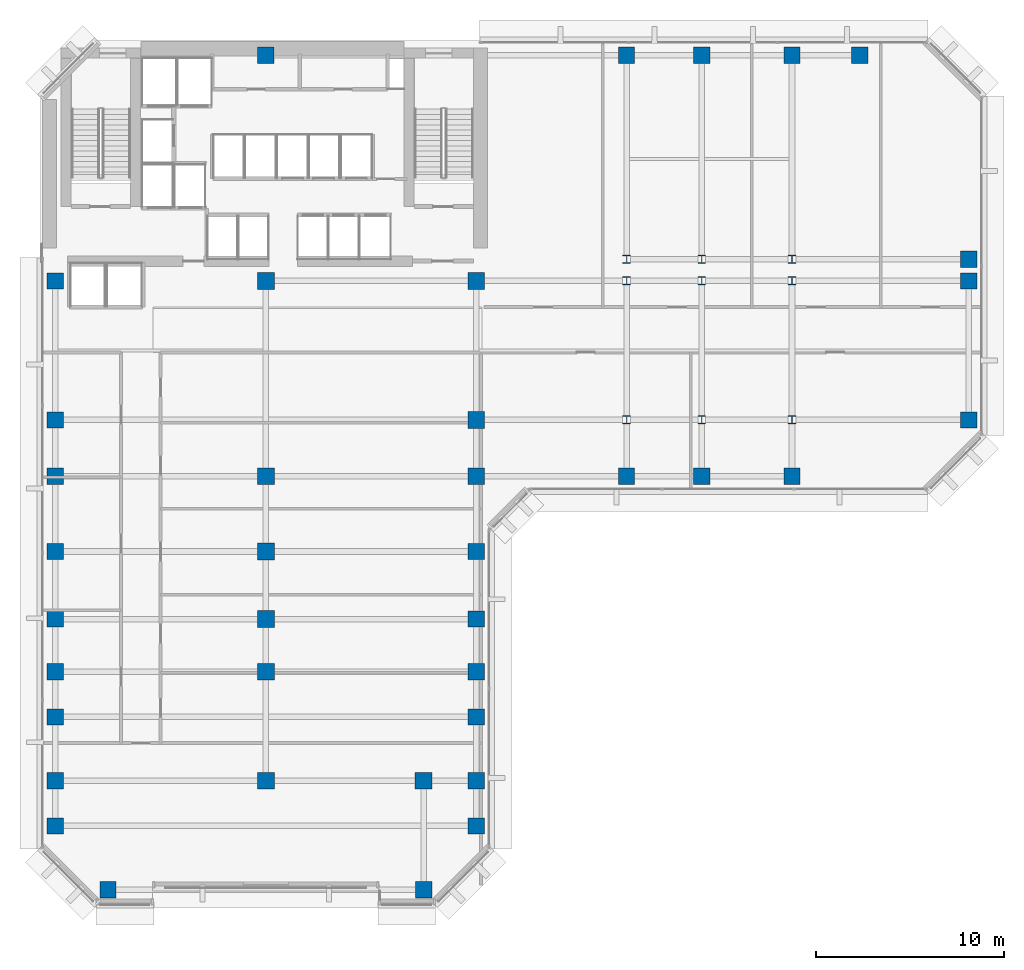
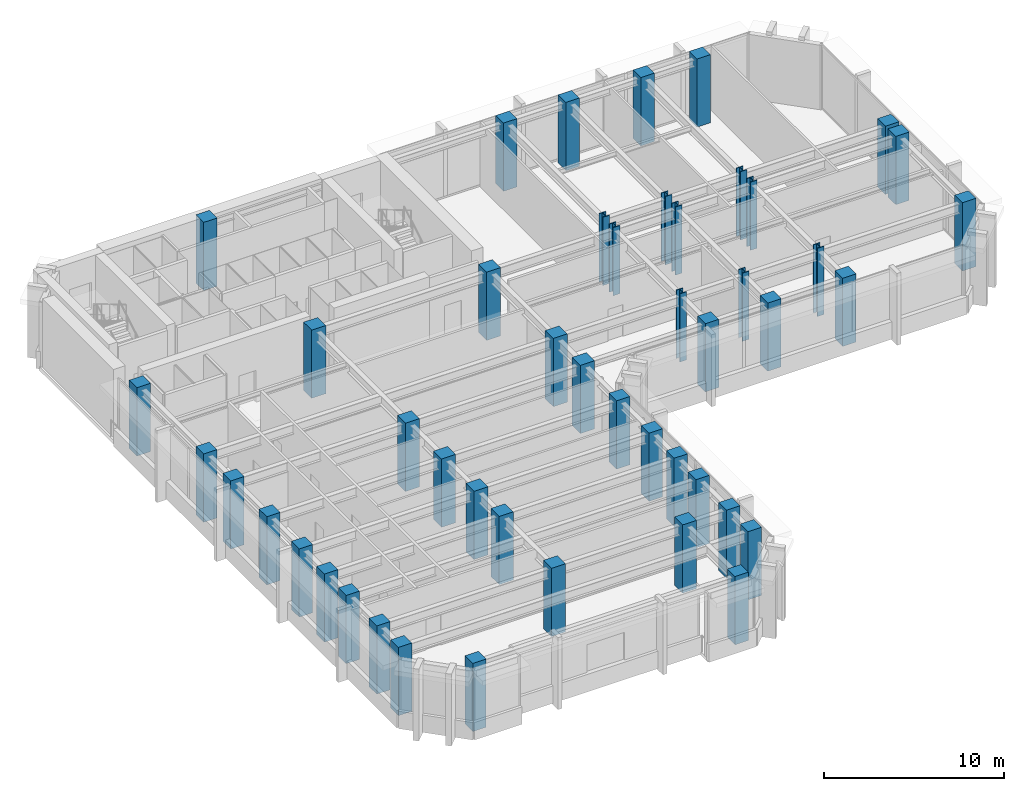
# One storey, part 1 of 13: 47 columns.
"""IFC4 building model written with IfcOpenShell, lengths in metres."""

from ifc_helpers import new_model, si_unit, direction, frame, origin, origin_2d, place, context, subcontext, project, spatial, rectangle, i_section, extrude, material, material_profile, profile_set, type_object, element, save


model = new_model("IFC4")

# Units and contexts
model_context = context("Model", 3, precision=1e-05, world=origin(), true_north=direction((0.0, 1.0)))
body_context = subcontext(model_context, "Body", "Model", "MODEL_VIEW")
ifc_project = project(units=[si_unit("LENGTHUNIT", "METRE"), si_unit("AREAUNIT", "SQUARE_METRE"), si_unit("VOLUMEUNIT", "CUBIC_METRE"), si_unit("PLANEANGLEUNIT", "RADIAN"), si_unit("MASSUNIT", "GRAM", prefix="KILO")], contexts=[model_context])

# Site, building, storey
site_placement = place(None, origin())
site = spatial("IfcSite", under=ifc_project, at=site_placement, CompositionType="ELEMENT")
building_placement = place(site_placement, origin())
building = spatial("IfcBuilding", under=site, at=building_placement, Name="Kefirva Bronze Tower", CompositionType="ELEMENT")
storey_placement = place(building_placement, frame((0.0, 0.0, 130.35009765625)))
storey = spatial("IfcBuildingStorey", under=building, at=storey_placement, Name="L31", CompositionType="ELEMENT", Elevation=130.35009765625)

# Columns
ifc_material_1 = material(Name="Concrete C60/75", Category="concrete")
ifc_material_profile_1 = material_profile(ifc_material_1, rectangle(XDim=0.860107421875, YDim=0.860107421875, at=origin_2d()), Name="RC 860x860")
ifc_profile_set_1 = profile_set([ifc_material_profile_1], Name="Concrete C60/75")
column_type_1 = type_object("IfcColumnType", Name="RC Column 860x860 Ext", PredefinedType="COLUMN", material=ifc_profile_set_1)
for number, where, z_axis, x_axis, name in (
    (1, (0.800048828125, 4.199951171875, 0.0), (0.0, 0.0, 1.0), (1.0, 0.0, 0.0), "L31 Column C008_042"),
    (2, (0.800048828125, 6.60009765625, 0.0), (0.0, 0.0, 1.0), (1.0, 0.0, 0.0), "L31 Column C008_066"),
    (3, (0.800048828125, 10.0, 0.0), (0.0, 0.0, 1.0), (1.0, 0.0, 0.0), "L31 Column C008_100"),
    (4, (0.800048828125, 12.39990234375, 0.0), (0.0, 0.0, 1.0), (1.0, 0.0, 0.0), "L31 Column C008_124"),
    (5, (0.800048828125, 15.199951171875, 0.0), (0.0, 0.0, 1.0), (1.0, 0.0, 0.0), "L31 Column C008_152"),
    (6, (0.800048828125, 18.800048828125, 0.0), (0.0, 0.0, 1.0), (1.0, 0.0, 0.0), "L31 Column C008_188"),
    (7, (0.800048828125, 22.800048828125, 0.0), (0.0, 0.0, 1.0), (1.0, 0.0, 0.0), "L31 Column C008_228"),
    (8, (0.800048828125, 25.800048828125, 0.0), (0.0, 0.0, 1.0), (1.0, 0.0, 0.0), "L31 Column C008_258"),
    (9, (0.800048828125, 33.199951171875, 0.0), (0.0, 0.0, 1.0), (1.0, 0.0, 0.0), "L31 Column C008_332"),
    (10, (3.60009765625, 0.800048828125, 0.0), (0.0, 0.0, 1.0), (1.0, 0.0, 0.0), "L31 Column C036_008"),
    (11, (12.0, 45.199951171875, 0.0), (0.0, 0.0, 1.0), (1.0, 0.0, 0.0), "L31 Column C120_452"),
    (12, (20.39990234375, 0.800048828125, 0.0), (0.0, 0.0, 1.0), (1.0, 0.0, 0.0), "L31 Column C204_008"),
    (13, (23.199951171875, 4.199951171875, 0.0), (0.0, 0.0, 1.0), (1.0, 0.0, 0.0), "L31 Column C232_042"),
    (14, (23.199951171875, 6.60009765625, 0.0), (0.0, 0.0, 1.0), (1.0, 0.0, 0.0), "L31 Column C232_066"),
    (15, (23.199951171875, 10.0, 0.0), (0.0, 0.0, 1.0), (1.0, 0.0, 0.0), "L31 Column C232_100"),
    (16, (23.199951171875, 12.39990234375, 0.0), (0.0, 0.0, 1.0), (1.0, 0.0, 0.0), "L31 Column C232_124"),
    (17, (23.199951171875, 15.199951171875, 0.0), (0.0, 0.0, 1.0), (1.0, 0.0, 0.0), "L31 Column C232_152"),
    (18, (23.199951171875, 18.800048828125, 0.0), (0.0, 0.0, 1.0), (1.0, 0.0, 0.0), "L31 Column C232_188"),
    (19, (31.199951171875, 22.800048828125, 0.0), (0.0, 0.0, 1.0), (1.0, 0.0, 0.0), "L31 Column C312_228"),
    (20, (31.199951171875, 45.199951171875, 0.0), (0.0, 0.0, 1.0), (1.0, 0.0, 0.0), "L31 Column C312_452"),
    (21, (35.199951171875, 22.800048828125, 0.0), (0.0, 0.0, 1.0), (1.0, 0.0, 0.0), "L31 Column C352_228"),
    (22, (35.199951171875, 45.199951171875, 0.0), (0.0, 0.0, 1.0), (1.0, 0.0, 0.0), "L31 Column C352_452"),
    (23, (40.0, 22.800048828125, 0.0), (0.0, 0.0, 1.0), (1.0, 0.0, 0.0), "L31 Column C400_228"),
    (24, (40.0, 45.199951171875, 0.0), (0.0, 0.0, 1.0), (1.0, 0.0, 0.0), "L31 Column C400_452"),
    (25, (43.60009765625, 45.199951171875, 0.0), (0.0, 0.0, 1.0), (1.0, 0.0, 0.0), "L31 Column C436_452"),
    (26, (49.39990234375, 25.800048828125, 0.0), (0.0, 0.0, 1.0), (1.0, 0.0, 0.0), "L31 Column C494_258"),
    (27, (49.39990234375, 33.199951171875, 0.0), (0.0, 0.0, 1.0), (1.0, 0.0, 0.0), "L31 Column C494_332"),
    (28, (49.39990234375, 34.35009765625, 0.0), (0.0, 0.0, 1.0), (1.0, 0.0, 0.0), "L31 Column C494_344"),
):
    element("IfcColumn", number, at=place(storey_placement, frame(where, z_axis=z_axis, x_axis=x_axis)), inside=storey, type_object=column_type_1, Name=name, PredefinedType="COLUMN", context=body_context, shape_type="SweptSolid", body=[
        extrude(rectangle(XDim=0.860107421875, YDim=0.860107421875, at=origin_2d()), origin(), (0.0, 0.0, 1.0), 4.619873046875),
    ])
ifc_material_profile_2 = material_profile(ifc_material_1, rectangle(XDim=0.89990234375, YDim=0.89990234375, at=origin_2d()), Name="RC 900x900")
ifc_profile_set_2 = profile_set([ifc_material_profile_2], Name="Concrete C60/75")
column_type_2 = type_object("IfcColumnType", Name="RC Column 900x900 Int", PredefinedType="COLUMN", material=ifc_profile_set_2)
for number, where, z_axis, x_axis, name in (
    (29, (12.0, 6.60009765625, 0.0), (0.0, 0.0, 1.0), (1.0, 0.0, 0.0), "L31 Column C120_066"),
    (30, (12.0, 12.39990234375, 0.0), (0.0, 0.0, 1.0), (1.0, 0.0, 0.0), "L31 Column C120_124"),
    (31, (12.0, 15.199951171875, 0.0), (0.0, 0.0, 1.0), (1.0, 0.0, 0.0), "L31 Column C120_152"),
    (32, (12.0, 18.800048828125, 0.0), (0.0, 0.0, 1.0), (1.0, 0.0, 0.0), "L31 Column C120_188"),
    (33, (12.0, 22.800048828125, 0.0), (0.0, 0.0, 1.0), (1.0, 0.0, 0.0), "L31 Column C120_228"),
    (34, (12.0, 33.199951171875, 0.0), (0.0, 0.0, 1.0), (1.0, 0.0, 0.0), "L31 Column C120_332"),
    (35, (20.39990234375, 6.60009765625, 0.0), (0.0, 0.0, 1.0), (1.0, 0.0, 0.0), "L31 Column C204_066"),
    (36, (23.199951171875, 22.800048828125, 0.0), (0.0, 0.0, 1.0), (1.0, 0.0, 0.0), "L31 Column C232_228"),
    (37, (23.199951171875, 25.800048828125, 0.0), (0.0, 0.0, 1.0), (1.0, 0.0, 0.0), "L31 Column C232_258"),
    (38, (23.199951171875, 33.199951171875, 0.0), (0.0, 0.0, 1.0), (1.0, 0.0, 0.0), "L31 Column C232_332"),
):
    element("IfcColumn", number, at=place(storey_placement, frame(where, z_axis=z_axis, x_axis=x_axis)), inside=storey, type_object=column_type_2, Name=name, PredefinedType="COLUMN", context=body_context, shape_type="SweptSolid", body=[
        extrude(rectangle(XDim=0.89990234375, YDim=0.89990234375, at=origin_2d()), origin(), (0.0, 0.0, 1.0), 4.619873046875),
    ])
ifc_material_2 = material(Name="Steel S460", Category="steel")
ifc_material_profile_3 = material_profile(ifc_material_2, i_section(OverallWidth=0.41796875, OverallDepth=0.455078125, WebThickness=0.031982421875, FlangeThickness=0.051025390625, at=origin_2d()), Name="HD 400x551")
ifc_profile_set_3 = profile_set([ifc_material_profile_3], Name="Steel S460")
column_type_3 = type_object("IfcColumnType", Name="Steel Column HD 400x551", PredefinedType="COLUMN", material=ifc_profile_set_3)
for number, where, z_axis, x_axis, name in (
    (39, (31.199951171875, 25.800048828125, 0.0), (0.0, 0.0, 1.0), (1.0, 0.0, 0.0), "L31 Column C312_258"),
    (40, (31.199951171875, 33.199951171875, 0.0), (0.0, 0.0, 1.0), (1.0, 0.0, 0.0), "L31 Column C312_332"),
    (41, (31.199951171875, 34.35009765625, 0.0), (0.0, 0.0, 1.0), (1.0, 0.0, 0.0), "L31 Column C312_344"),
    (42, (35.199951171875, 25.800048828125, 0.0), (0.0, 0.0, 1.0), (1.0, 0.0, 0.0), "L31 Column C352_258"),
    (43, (35.199951171875, 33.199951171875, 0.0), (0.0, 0.0, 1.0), (1.0, 0.0, 0.0), "L31 Column C352_332"),
    (44, (35.199951171875, 34.35009765625, 0.0), (0.0, 0.0, 1.0), (1.0, 0.0, 0.0), "L31 Column C352_344"),
    (45, (40.0, 25.800048828125, 0.0), (0.0, 0.0, 1.0), (1.0, 0.0, 0.0), "L31 Column C400_258"),
    (46, (40.0, 33.199951171875, 0.0), (0.0, 0.0, 1.0), (1.0, 0.0, 0.0), "L31 Column C400_332"),
    (47, (40.0, 34.35009765625, 0.0), (0.0, 0.0, 1.0), (1.0, 0.0, 0.0), "L31 Column C400_344"),
):
    element("IfcColumn", number, at=place(storey_placement, frame(where, z_axis=z_axis, x_axis=x_axis)), inside=storey, type_object=column_type_3, Name=name, PredefinedType="COLUMN", context=body_context, shape_type="SweptSolid", body=[
        extrude(i_section(OverallWidth=0.41796875, OverallDepth=0.455078125, WebThickness=0.031982421875, FlangeThickness=0.051025390625, at=origin_2d()), origin(), (0.0, 0.0, 1.0), 4.619873046875),
    ])

save(model, "model.ifc")
